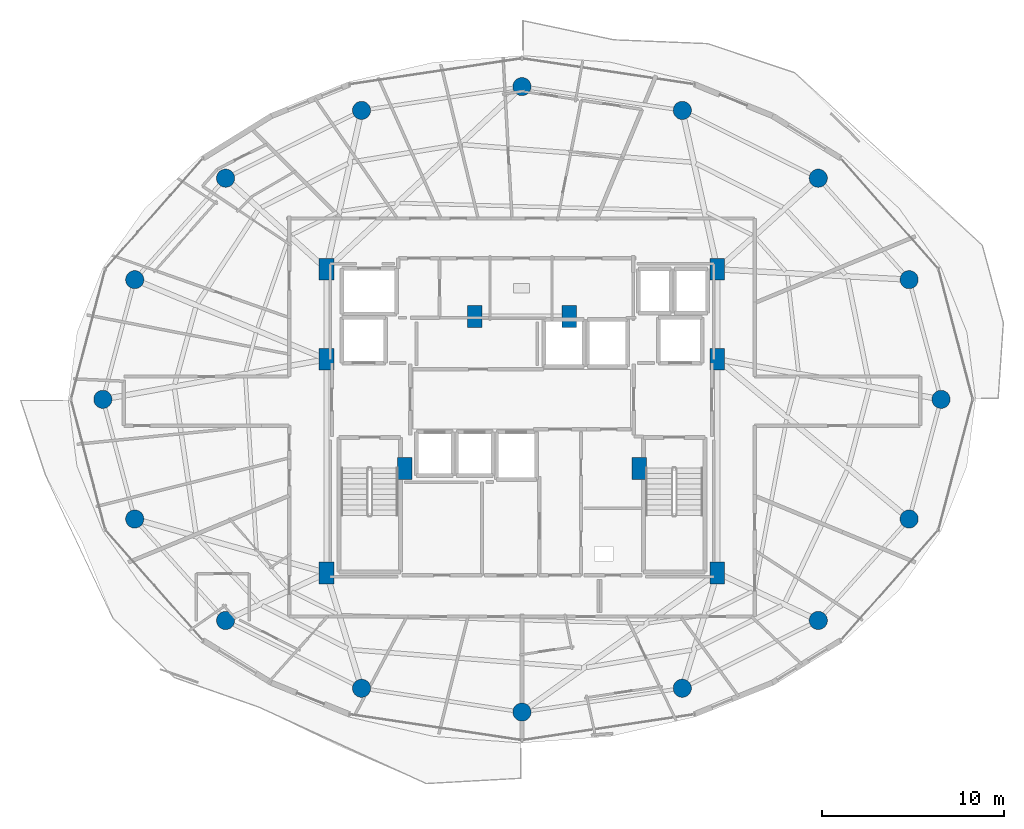
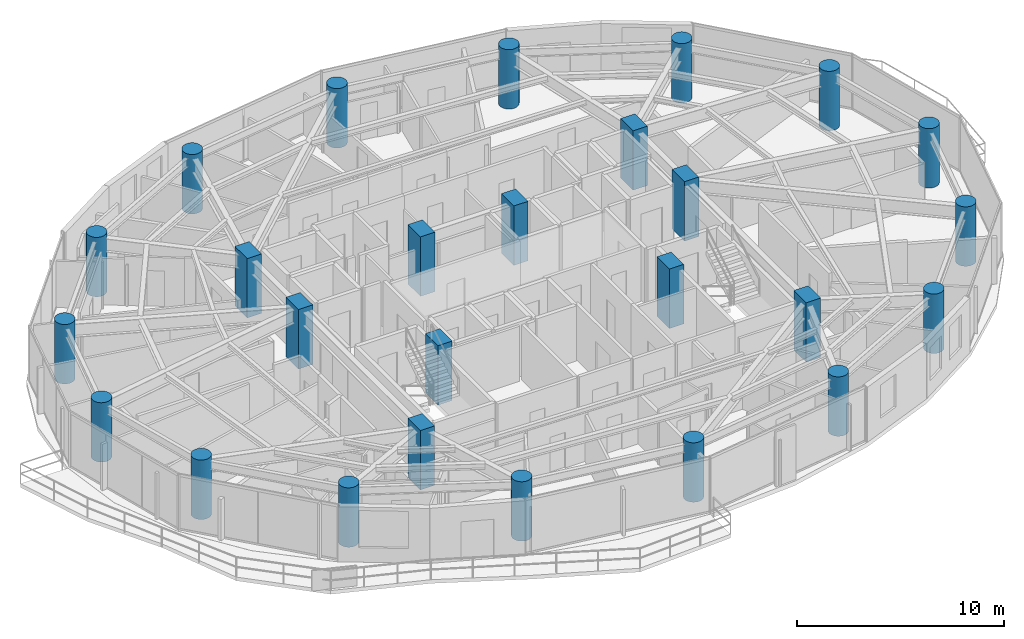
# One storey, part 1 of 28: 26 columns.
"""IFC4 building model written with IfcOpenShell, lengths in metres."""

from ifc_helpers import new_model, si_unit, direction, frame, origin, origin_2d, place, context, subcontext, project, spatial, rectangle, circle, extrude, material, material_profile, profile_set, type_object, element, save


model = new_model("IFC4")

# Units and contexts
model_context = context("Model", 3, precision=1e-05, world=origin(), true_north=direction((0.0, 1.0)))
body_context = subcontext(model_context, "Body", "Model", "MODEL_VIEW")
ifc_project = project(units=[si_unit("LENGTHUNIT", "METRE"), si_unit("AREAUNIT", "SQUARE_METRE"), si_unit("VOLUMEUNIT", "CUBIC_METRE"), si_unit("PLANEANGLEUNIT", "RADIAN"), si_unit("MASSUNIT", "GRAM", prefix="KILO")], contexts=[model_context])

# Site, building, storey
site_placement = place(None, origin())
site = spatial("IfcSite", under=ifc_project, at=site_placement, CompositionType="ELEMENT")
building_placement = place(site_placement, origin())
building = spatial("IfcBuilding", under=site, at=building_placement, Name="Vorneva Point Tower", CompositionType="ELEMENT")
storey_placement = place(building_placement, frame((0.0, 0.0, 164.10009765625)))
storey = spatial("IfcBuildingStorey", under=building, at=storey_placement, Name="L44", CompositionType="ELEMENT", Elevation=164.10009765625)

# Columns
ifc_material = material(Name="Concrete B60 (C50/60)", Category="concrete")
ifc_material_profile_1 = material_profile(ifc_material, circle(Radius=0.5, at=origin_2d()), Name="RC-CIRC 1000")
ifc_profile_set_1 = profile_set([ifc_material_profile_1], Name="Concrete B60 (C50/60)")
column_type_1 = type_object("IfcColumnType", Name="COL-RC1000C", PredefinedType="COLUMN", material=ifc_profile_set_1)
for number, where, z_axis, x_axis, name in (
    (1, (61.050048828125, 26.0, 0.0), (0.0, 0.0, 1.0), (1.0, 0.0, 0.0), "L44 Perimeter Column P01"),
    (2, (59.29541015625, 32.582275390625, 0.0), (0.0, 0.0, 1.0), (0.923879532511, 0.382683432365, 0.0), "L44 Perimeter Column P02"),
    (3, (54.298828125, 38.162109375, 0.0), (0.0, 0.0, 1.0), (0.707106781187, 0.707106781187, 0.0), "L44 Perimeter Column P03"),
    (4, (46.82080078125, 41.890625, 0.0), (0.0, 0.0, 1.0), (0.382683432365, 0.923879532511, 0.0), "L44 Perimeter Column P04"),
    (5, (38.0, 43.199951171875, 0.0), (0.0, 0.0, 1.0), (0.0, 1.0, 0.0), "L44 Perimeter Column P05"),
    (6, (29.17919921875, 41.890625, 0.0), (0.0, 0.0, 1.0), (-0.382683432365, 0.923879532511, 0.0), "L44 Perimeter Column P06"),
    (7, (21.701171875, 38.162109375, 0.0), (0.0, 0.0, 1.0), (-0.707106781187, 0.707106781187, 0.0), "L44 Perimeter Column P07"),
    (8, (16.70458984375, 32.582275390625, 0.0), (0.0, 0.0, 1.0), (-0.923879532511, 0.382683432365, 0.0), "L44 Perimeter Column P08"),
    (9, (14.949951171875, 26.0, 0.0), (0.0, 0.0, 1.0), (-1.0, 0.0, 0.0), "L44 Perimeter Column P09"),
    (10, (16.70458984375, 19.417724609375, 0.0), (0.0, 0.0, 1.0), (-0.923879532511, -0.382683432365, 0.0), "L44 Perimeter Column P10"),
    (11, (21.701171875, 13.837890625, 0.0), (0.0, 0.0, 1.0), (-0.707106781187, -0.707106781187, 0.0), "L44 Perimeter Column P11"),
    (12, (29.17919921875, 10.109375, 0.0), (0.0, 0.0, 1.0), (-0.382683432365, -0.923879532511, 0.0), "L44 Perimeter Column P12"),
    (13, (38.0, 8.800048828125, 0.0), (0.0, 0.0, 1.0), (0.0, -1.0, 0.0), "L44 Perimeter Column P13"),
    (14, (46.82080078125, 10.109375, 0.0), (0.0, 0.0, 1.0), (0.382683432365, -0.923879532511, 0.0), "L44 Perimeter Column P14"),
    (15, (54.298828125, 13.837890625, 0.0), (0.0, 0.0, 1.0), (0.707106781187, -0.707106781187, 0.0), "L44 Perimeter Column P15"),
    (16, (59.29541015625, 19.417724609375, 0.0), (0.0, 0.0, 1.0), (0.923879532511, -0.382683432365, 0.0), "L44 Perimeter Column P16"),
):
    element("IfcColumn", number, at=place(storey_placement, frame(where, z_axis=z_axis, x_axis=x_axis)), inside=storey, type_object=column_type_1, Name=name, PredefinedType="COLUMN", context=body_context, shape_type="SweptSolid", body=[
        extrude(circle(Radius=0.5, at=origin_2d()), origin(), (0.0, 0.0, 1.0), 3.5),
    ])
ifc_material_profile_2 = material_profile(ifc_material, rectangle(XDim=0.800048828125, YDim=1.199951171875, at=origin_2d()), Name="RC-PIL 1200x800")
ifc_profile_set_2 = profile_set([ifc_material_profile_2], Name="Concrete B60 (C50/60)")
column_type_2 = type_object("IfcColumnType", Name="PIL-RC1200x800", PredefinedType="PILASTER", material=ifc_profile_set_2)
for number, where, z_axis, x_axis, name in (
    (17, (27.25, 16.449951171875, 0.0), (0.0, 0.0, 1.0), (1.0, 0.0, 0.0), "L44 Core Pilaster CP1"),
    (18, (27.25, 28.199951171875, 0.0), (0.0, 0.0, 1.0), (1.0, 0.0, 0.0), "L44 Core Pilaster CP2"),
    (19, (27.25, 33.14990234375, 0.0), (0.0, 0.0, 1.0), (1.0, 0.0, 0.0), "L44 Core Pilaster CP3"),
    (20, (31.550048828125, 22.199951171875, 0.0), (0.0, 0.0, 1.0), (1.0, 0.0, 0.0), "L44 Core Pilaster CP4"),
    (21, (48.75, 33.14990234375, 0.0), (0.0, 0.0, 1.0), (1.0, 0.0, 0.0), "L44 Core Pilaster CP5"),
    (22, (48.75, 28.199951171875, 0.0), (0.0, 0.0, 1.0), (1.0, 0.0, 0.0), "L44 Core Pilaster CP6"),
    (23, (48.75, 16.449951171875, 0.0), (0.0, 0.0, 1.0), (1.0, 0.0, 0.0), "L44 Core Pilaster CP7"),
    (24, (44.449951171875, 22.199951171875, 0.0), (0.0, 0.0, 1.0), (1.0, 0.0, 0.0), "L44 Core Pilaster CP8"),
    (25, (35.39990234375, 30.550048828125, 0.0), (0.0, 0.0, 1.0), (1.0, 0.0, 0.0), "L44 Core Pilaster CP9"),
    (26, (40.60009765625, 30.550048828125, 0.0), (0.0, 0.0, 1.0), (1.0, 0.0, 0.0), "L44 Core Pilaster CP10"),
):
    element("IfcColumn", number, at=place(storey_placement, frame(where, z_axis=z_axis, x_axis=x_axis)), inside=storey, type_object=column_type_2, Name=name, PredefinedType="PILASTER", context=body_context, shape_type="SweptSolid", body=[
        extrude(rectangle(XDim=0.800048828125, YDim=1.199951171875, at=origin_2d()), origin(), (0.0, 0.0, 1.0), 3.5),
    ])

save(model, "model.ifc")
